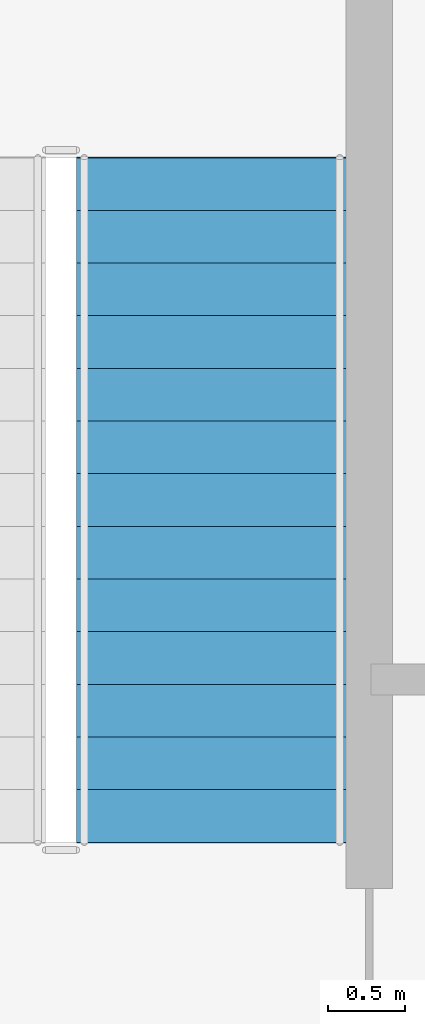
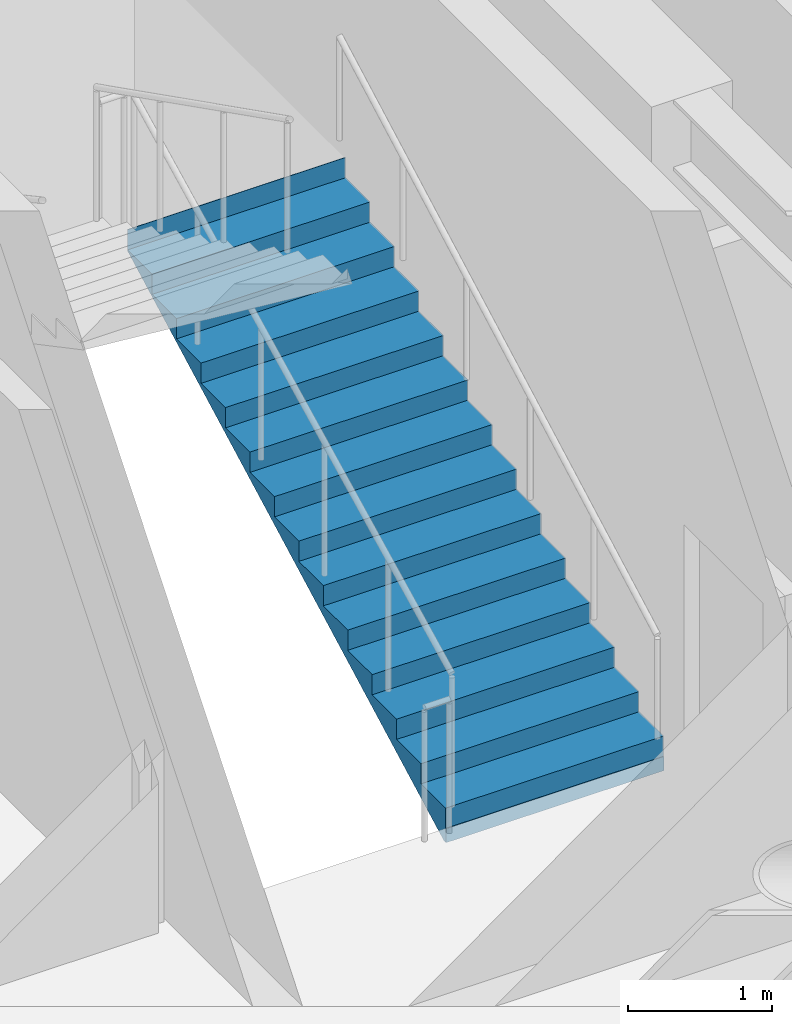
# One storey, part 13 of 17: 1 stair flight, 1 element without a shape of its own.
"""IFC4 building model written with IfcOpenShell, lengths in metres."""

import ifcopenshell
import ifcopenshell.guid

model = None  # the IFC model being written
_history = None  # IfcOwnerHistory: only IFC2X3 demands one
_inside = {}  # id of a spatial element -> (the spatial element, [elements in it])
_under = {}  # id of a project, library or spatial element -> (it, [spatial elements below it])
_declared = {}  # id of a project -> (the project, [libraries it declares])
_typed = {}  # id of a type object -> (the type object, [elements of that type])
_made_of = {}  # id of a material, layer set ... -> (it, [elements and type objects made of it])


def new_model(schema):
    """Start an empty IFC model of exactly this schema.

    Asked for "IFC4X3", IfcOpenShell would pick the latest addendum, in which some entities
    have other attributes; the version numbers below select the first issue.
    IFC2X3 requires an IfcOwnerHistory on every rooted entity: one is made here for all.
    """
    global model, _history
    if schema == "IFC4X3":
        model = ifcopenshell.file(schema_version=(4, 3, 0, 0))
    else:
        model = ifcopenshell.file(schema=schema)
    _inside.clear()
    _under.clear()
    _declared.clear()
    _typed.clear()
    _made_of.clear()
    _history = None
    if model.schema == "IFC2X3":
        org = make("IfcOrganization", Name="unknown")
        user = make(
            "IfcPersonAndOrganization",
            ThePerson=make("IfcPerson", FamilyName="unknown"),
            TheOrganization=org,
        )
        app = make(
            "IfcApplication",
            ApplicationDeveloper=org,
            Version="unknown",
            ApplicationFullName="unknown",
            ApplicationIdentifier="unknown",
        )
        _history = make(
            "IfcOwnerHistory",
            OwningUser=user,
            OwningApplication=app,
            ChangeAction="ADDED",
            CreationDate=0,
        )
    return model


def make(cls, **values):
    """One entity of the class cls with the attributes given. An attribute that is None is left unset."""
    return model.create_entity(
        cls, **{name: value for name, value in values.items() if value is not None}
    )


def rooted(cls, **values):
    """An entity with a GlobalId (a new one), such as an element, a storey or a relation."""
    return make(cls, GlobalId=ifcopenshell.guid.new(), OwnerHistory=_history, **values)


def si_unit(unit_type, name, prefix=None):
    """IfcSIUnit, for example si_unit("LENGTHUNIT", "METRE", prefix="MILLI")."""
    return make("IfcSIUnit", UnitType=unit_type, Prefix=prefix, Name=name)


def assignment(units):
    """IfcUnitAssignment: the units of a project."""
    return None if units is None else make("IfcUnitAssignment", Units=units)


def point(xyz):
    """IfcCartesianPoint."""
    return None if xyz is None else make("IfcCartesianPoint", Coordinates=xyz)


def direction(xyz):
    """IfcDirection."""
    return None if xyz is None else make("IfcDirection", DirectionRatios=xyz)


def frame(location, z_axis=None, x_axis=None):
    """IfcAxis2Placement3D, a coordinate frame: its origin and axes. An axis left out is left unset."""
    return make(
        "IfcAxis2Placement3D",
        Location=point(location),
        Axis=direction(z_axis),
        RefDirection=direction(x_axis),
    )


def origin():
    """The frame at (0, 0, 0) with its axes left unset."""
    return frame((0.0, 0.0, 0.0))


def place(relative_to, where):
    """IfcLocalPlacement: puts the frame where relative to a parent placement (None: the world)."""
    return make(
        "IfcLocalPlacement", PlacementRelTo=relative_to, RelativePlacement=where
    )


def context(
    kind, dimensions, precision=None, world=None, true_north=None, identifier=None
):
    """IfcGeometricRepresentationContext, for example the 3D "Model" context."""
    return make(
        "IfcGeometricRepresentationContext",
        ContextIdentifier=identifier,
        ContextType=kind,
        CoordinateSpaceDimension=dimensions,
        Precision=precision,
        WorldCoordinateSystem=world,
        TrueNorth=true_north,
    )


def subcontext(parent, identifier, kind, view, scale=None):
    """IfcGeometricRepresentationSubContext, for example "Body" below "Model"."""
    return make(
        "IfcGeometricRepresentationSubContext",
        ContextIdentifier=identifier,
        ContextType=kind,
        ParentContext=parent,
        TargetScale=scale,
        TargetView=view,
    )


def project(units=None, contexts=None):
    """IfcProject with its units and contexts."""
    return rooted(
        "IfcProject",
        Name="project",
        RepresentationContexts=contexts,
        UnitsInContext=assignment(units),
    )


def spatial(cls, under=None, at=None, **own):
    """A site, building, storey or space (cls), placed at a placement, below another one or the project."""
    s = rooted(cls, ObjectPlacement=at, **own)
    if under is not None:
        _under.setdefault(under.id(), (under, []))[1].append(s)
    return s


def polyline(points):
    """IfcPolyline through the points."""
    return make("IfcPolyline", Points=[point(p) for p in points])


def outline(outer, holes=None, kind="AREA"):
    """IfcArbitraryClosedProfileDef: a profile drawn as a closed curve; with holes, ...WithVoids."""
    if holes is None:
        return make("IfcArbitraryClosedProfileDef", ProfileType=kind, OuterCurve=outer)
    return make(
        "IfcArbitraryProfileDefWithVoids",
        ProfileType=kind,
        OuterCurve=outer,
        InnerCurves=holes,
    )


def extrude(swept, where, along, depth):
    """IfcExtrudedAreaSolid: the profile swept, set in the frame where, extruded along a direction by depth."""
    return make(
        "IfcExtrudedAreaSolid",
        SweptArea=swept,
        Position=where,
        ExtrudedDirection=direction(along),
        Depth=depth,
    )


def shape(context_of_items, identifier, shape_type, items):
    """IfcShapeRepresentation: the items that make up one representation, for example the "Body"."""
    return make(
        "IfcShapeRepresentation",
        ContextOfItems=context_of_items,
        RepresentationIdentifier=identifier,
        RepresentationType=shape_type,
        Items=items,
    )


def source(mapping_origin, context_of_items, identifier, shape_type, items):
    """IfcRepresentationMap: a shape defined once, which mapped items show again and again."""
    return make(
        "IfcRepresentationMap",
        MappingOrigin=mapping_origin,
        MappedRepresentation=shape(context_of_items, identifier, shape_type, items),
    )


def transform(
    local_origin,
    x_axis=None,
    y_axis=None,
    z_axis=None,
    scale=None,
    scale2=None,
    scale3=None,
    uniform=True,
):
    """IfcCartesianTransformationOperator3D, or its non-uniform kind. x_axis, y_axis, z_axis: its Axis1, 2, 3."""
    if uniform:
        return make(
            "IfcCartesianTransformationOperator3D",
            Axis1=direction(x_axis),
            Axis2=direction(y_axis),
            LocalOrigin=point(local_origin),
            Scale=scale,
            Axis3=direction(z_axis),
        )
    return make(
        "IfcCartesianTransformationOperator3DnonUniform",
        Axis1=direction(x_axis),
        Axis2=direction(y_axis),
        LocalOrigin=point(local_origin),
        Scale=scale,
        Axis3=direction(z_axis),
        Scale2=scale2,
        Scale3=scale3,
    )


def mapped(mapping_source, mapping_target):
    """IfcMappedItem: shows the shape of a source again, moved by a transform."""
    return make(
        "IfcMappedItem", MappingSource=mapping_source, MappingTarget=mapping_target
    )


def material(Name=None, Category=None):
    """IfcMaterial."""
    return make("IfcMaterial", Name=Name, Category=Category)


def layer(
    of_material, thickness, ventilated=None, Name=None, Category=None, Priority=None
):
    """IfcMaterialLayer: one layer of a wall or slab, of a material (None: an air gap)."""
    return make(
        "IfcMaterialLayer",
        Material=of_material,
        LayerThickness=thickness,
        IsVentilated=ventilated,
        Name=Name,
        Category=Category,
        Priority=Priority,
    )


def layer_set(layers, Name=None):
    """IfcMaterialLayerSet."""
    return make("IfcMaterialLayerSet", MaterialLayers=layers, LayerSetName=Name)


def made_of(thing, what):
    """Note that an element or type object is made of a material, layer set ...; save() writes the relation."""
    if what is not None:
        _made_of.setdefault(what.id(), (what, []))[1].append(thing)
    return thing


def type_object(cls, material=None, **own):
    """A type object (cls), such as IfcWallType, which elements share."""
    return made_of(rooted(cls, **own), material)


def element(
    cls,
    number,
    at=None,
    inside=None,
    cuts=None,
    type_object=None,
    material=None,
    context=None,
    identifier="Body",
    shape_type=None,
    held_by="IfcProductDefinitionShape",
    body=None,
    shapes=None,
    **own,
):
    """One element of the class cls, such as IfcWall. Its Tag is "e" and its number.

    at: its placement. inside: the storey or other place that contains it. cuts: it is an
    opening in that element (IfcRelVoidsElement). A single representation is given by context,
    identifier, shape_type and body (its items); several are given by shapes. held_by: the class
    of the entity that holds the representations. save() writes the other relations.
    """
    e = rooted(cls, Tag="e%d" % number, ObjectPlacement=at, **own)
    if body is not None:
        shapes = [shape(context, identifier, shape_type, body)]
    if shapes is not None:
        e.Representation = make(held_by, Representations=shapes)
    if inside is not None:
        _inside.setdefault(inside.id(), (inside, []))[1].append(e)
    if cuts is not None:
        rooted(
            "IfcRelVoidsElement", RelatingBuildingElement=cuts, RelatedOpeningElement=e
        )
    if type_object is not None:
        _typed.setdefault(type_object.id(), (type_object, []))[1].append(e)
    return made_of(e, material)


def aggregate(whole, parts):
    """IfcRelAggregates: a whole, such as a stair, and the parts it consists of."""
    return rooted("IfcRelAggregates", RelatingObject=whole, RelatedObjects=parts)


def save(model, path):
    """Write the relations noted so far, then the file.

    IfcRelAggregates (storeys below a building ...), IfcRelContainedInSpatialStructure (elements
    in a storey), IfcRelDefinesByType, IfcRelAssociatesMaterial and IfcRelDeclares: one each for
    every whole, place, type object, material and project.
    """
    for whole, parts in _under.values():
        aggregate(whole, parts)
    for where, things in _inside.values():
        rooted(
            "IfcRelContainedInSpatialStructure",
            RelatedElements=things,
            RelatingStructure=where,
        )
    for kind, things in _typed.values():
        rooted("IfcRelDefinesByType", RelatedObjects=things, RelatingType=kind)
    for what, things in _made_of.values():
        rooted("IfcRelAssociatesMaterial", RelatedObjects=things, RelatingMaterial=what)
    for by, libraries in _declared.values():
        rooted("IfcRelDeclares", RelatingContext=by, RelatedDefinitions=libraries)
    model.write(path)


model = new_model("IFC4")

# Units and contexts
model_context = context("Model", 3, precision=1e-05, world=origin(), true_north=direction((0.0, 1.0)))
body_context = subcontext(model_context, "Body", "Model", "MODEL_VIEW")
ifc_project = project(units=[si_unit("LENGTHUNIT", "METRE"), si_unit("AREAUNIT", "SQUARE_METRE"), si_unit("VOLUMEUNIT", "CUBIC_METRE"), si_unit("PLANEANGLEUNIT", "RADIAN"), si_unit("MASSUNIT", "GRAM", prefix="KILO")], contexts=[model_context])

# Site, building, storey
site_placement = place(None, origin())
site = spatial("IfcSite", under=ifc_project, at=site_placement, CompositionType="ELEMENT")
building_placement = place(site_placement, origin())
building = spatial("IfcBuilding", under=site, at=building_placement, Name="Nahalor Promenade Grand Hotel", CompositionType="ELEMENT")
storey_placement = place(building_placement, frame((0.0, 0.0, 83.5)))
storey = spatial("IfcBuildingStorey", under=building, at=storey_placement, Name="L20", CompositionType="ELEMENT", Elevation=83.5)

# Stair, stair flight
ifc_material = material(Name="Concrete B-50 (C40/50)", Category="concrete")
stair_type = type_object("IfcStairType", Name="Stair-ST1", PredefinedType="HALF_TURN_STAIR", material=ifc_material)
stair_placement = place(storey_placement, origin())
stair = element("IfcStair", 1, at=stair_placement, inside=storey, type_object=stair_type, Name="L20 ST1", PredefinedType="HALF_TURN_STAIR")
ifc_layer = layer(ifc_material, 0.179931640625)
ifc_layer_set = layer_set([ifc_layer], Name="Concrete B-50 (C40/50)")
stair_flight_type = type_object("IfcStairFlightType", Name="Flight-ST1", PredefinedType="STRAIGHT", material=ifc_layer_set)
shared_shape = source(origin(), body_context, "Body", "SweptSolid", [
    extrude(outline(polyline([(-0.00390625, -0.1201171875), (-0.00390625, 0.0), (0.0, 0.0), (0.0, 0.17138671875), (0.340087890625, 0.17138671875), (0.340087890625, 0.3427734375), (0.679931640625, 0.3427734375), (0.679931640625, 0.514404296875), (1.02001953125, 0.514404296875), (1.02001953125, 0.685791015625), (1.360107421875, 0.685791015625), (1.360107421875, 0.857177734375), (1.699951171875, 0.857177734375), (1.699951171875, 1.028564453125), (2.0400390625, 1.028564453125), (2.0400390625, 1.199951171875), (2.3798828125, 1.199951171875), (2.3798828125, 1.371337890625), (2.719970703125, 1.371337890625), (2.719970703125, 1.54296875), (3.06005859375, 1.54296875), (3.06005859375, 1.71435546875), (3.39990234375, 1.71435546875), (3.39990234375, 1.8857421875), (3.739990234375, 1.8857421875), (3.739990234375, 2.05712890625), (4.080078125, 2.05712890625), (4.080078125, 2.228515625), (4.419921875, 2.228515625), (4.419921875, 2.39990234375), (4.424072265625, 2.39990234375), (4.424072265625, 2.219970703125), (0.02001953125, -0.1201171875), (-0.00390625, -0.1201171875)])), frame((0.0, 0.875, 0.0), z_axis=(0.0, -1.0, 0.0), x_axis=(1.0, 0.0, 0.0)), (0.0, 0.0, 1.0), 1.75),
])
stair_flight_placement = place(storey_placement, frame((6.574951171875, 8.10009765625, 0.0), z_axis=(0.0, 0.0, 1.0), x_axis=(0.0, 1.0, 0.0)))
stair_flight = element("IfcStairFlight", 2, at=stair_flight_placement, type_object=stair_flight_type, Name="ST1 flight 1", NumberOfRisers=14, NumberOfTreads=13, PredefinedType="STRAIGHT", RiserHeight=0.171428571, TreadLength=0.34, context=body_context, shape_type="MappedRepresentation", body=[
    mapped(shared_shape, transform((0.0, 0.0, 0.0), scale=1.0)),
])
aggregate(stair, [stair_flight])

save(model, "model.ifc")
